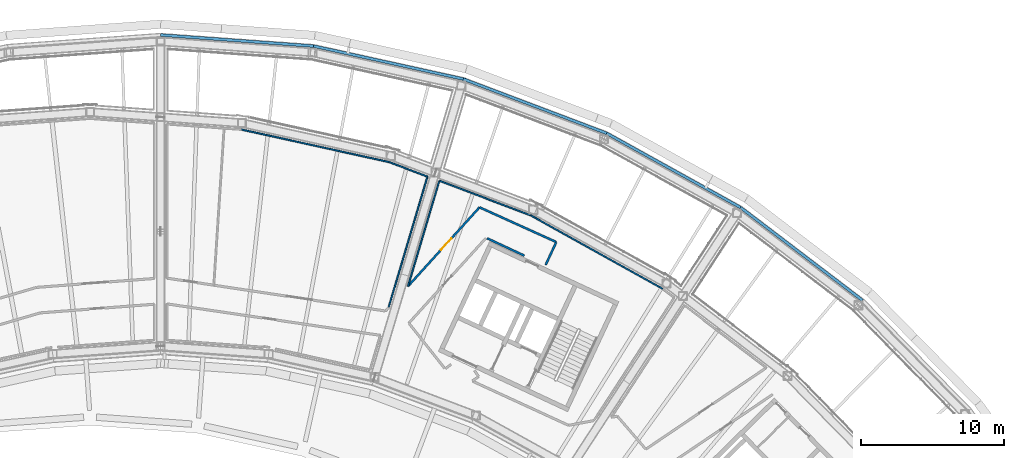
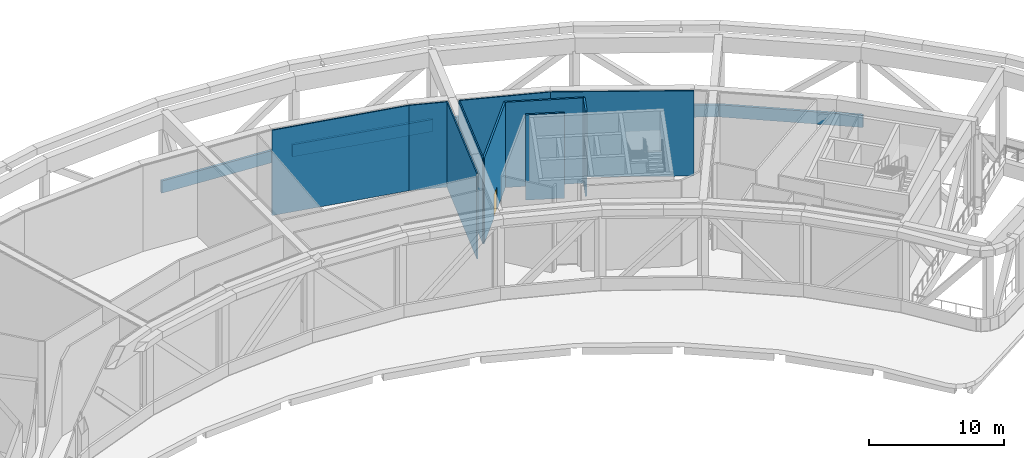
# One storey, part 12 of 27: 15 walls, 1 door, 1 opening.
"""IFC4 building model written with IfcOpenShell, lengths in metres."""

from ifc_helpers import new_model, si_unit, direction, frame, frame_2d, origin, place, context, subcontext, project, spatial, rectangle, extrude, material, layer, layer_set, type_object, element, fill, save


model = new_model("IFC4")

# Units and contexts
model_context = context("Model", 3, precision=1e-05, world=origin(), true_north=direction((0.0, 1.0)))
body_context = subcontext(model_context, "Body", "Model", "MODEL_VIEW")
ifc_project = project(units=[si_unit("LENGTHUNIT", "METRE"), si_unit("AREAUNIT", "SQUARE_METRE"), si_unit("VOLUMEUNIT", "CUBIC_METRE"), si_unit("PLANEANGLEUNIT", "RADIAN"), si_unit("MASSUNIT", "GRAM", prefix="KILO")], contexts=[model_context])

# Site, building, storey
site_placement = place(None, origin())
site = spatial("IfcSite", under=ifc_project, at=site_placement, CompositionType="ELEMENT")
building_placement = place(site_placement, origin())
building = spatial("IfcBuilding", under=site, at=building_placement, Name="Tuul Gate Civic Tower", CompositionType="ELEMENT")
storey_placement = place(building_placement, frame((0.0, 0.0, 201.5)))
storey = spatial("IfcBuildingStorey", under=building, at=storey_placement, Name="Wind floor 1", CompositionType="ELEMENT", Elevation=201.5)

# Walls
ifc_material_1 = material(Name="Gypsum board partition")
ifc_layer_1 = layer(ifc_material_1, 0.14990234375)
ifc_layer_set_1 = layer_set([ifc_layer_1], Name="Gypsum board partition")
wall_type_1 = type_object("IfcWallType", Name="Corridor wall P150", PredefinedType="PARTITIONING", material=ifc_layer_set_1)
wall_1_placement = place(storey_placement, frame((28.822509765625, 4.767578125, 0.0), z_axis=(0.0, 0.0, 1.0), x_axis=(0.906289419044, -0.422657649792, 0.0)))
element("IfcWall", 1, at=wall_1_placement, inside=storey, type_object=wall_type_1, Name="p021", PredefinedType="PARTITIONING", context=body_context, shape_type="SweptSolid", body=[
    extrude(rectangle(XDim=2.874755859375, YDim=0.14990234375, at=frame_2d((1.4375, 0.0))), origin(), (0.0, 0.0, 1.0), 7.699951171875),
])
wall_2_placement = place(storey_placement, frame((32.922119140625, 2.89990234375, 0.0), z_axis=(0.0, 0.0, 1.0), x_axis=(0.422825047147, 0.906211332695, 0.0)))
element("IfcWall", 2, at=wall_2_placement, inside=storey, type_object=wall_type_1, Name="p022", PredefinedType="PARTITIONING", context=body_context, shape_type="SweptSolid", body=[
    extrude(rectangle(XDim=1.769775390625, YDim=0.14990234375, at=frame_2d((0.884765625, 0.0))), origin(), (0.0, 0.0, 1.0), 7.699951171875),
])
wall_3_placement = place(storey_placement, frame((28.288818359375, 6.93896484375, 0.0), z_axis=(0.0, 0.0, 1.0), x_axis=(0.911058766533, -0.412276513912, 0.0)))
element("IfcWall", 3, at=wall_3_placement, inside=storey, type_object=wall_type_1, Name="p023", PredefinedType="PARTITIONING", context=body_context, shape_type="SweptSolid", body=[
    extrude(rectangle(XDim=5.906982421875, YDim=0.14990234375, at=frame_2d((2.95361328125, 0.0))), origin(), (0.0, 0.0, 1.0), 7.699951171875),
])

# Wall, opening, door
wall_4_placement = place(storey_placement, frame((23.270263671875, 1.400390625, 0.0), z_axis=(0.0, 0.0, 1.0), x_axis=(0.671462254568, 0.741038757887, 0.0)))
wall_4 = element("IfcWall", 4, at=wall_4_placement, inside=storey, type_object=wall_type_1, Name="p025", PredefinedType="PARTITIONING", context=body_context, shape_type="SweptSolid", body=[
    extrude(rectangle(XDim=7.47412109375, YDim=0.14990234375, at=frame_2d((3.737060546875, 0.0))), origin(), (0.0, 0.0, 1.0), 7.699951171875),
])
opening_placement = place(wall_4_placement, frame((3.43701171875, 0.0, 0.0)))
opening = element("IfcOpeningElement", 5, at=opening_placement, cuts=wall_4, Name="Opening AF-D06", PredefinedType="OPENING", context=body_context, shape_type="SweptSolid", body=[
    extrude(rectangle(XDim=1.10009765625, YDim=2.10009765625, at=frame_2d((0.550048828125, 1.050048828125))), frame((0.0, 0.0849609375, 0.0), z_axis=(0.0, -1.0, 0.0), x_axis=(1.0, 0.0, 0.0)), (0.0, 0.0, 1.0), 0.169921875),
])
ifc_material_2 = material(Name="Timber door leaf", Category="wood")
door_type = type_object("IfcDoorType", Name="Door D11", OperationType="NOTDEFINED", PredefinedType="DOOR", material=ifc_material_2)
door_placement = place(opening_placement, origin())
door = element("IfcDoor", 6, at=door_placement, inside=storey, type_object=door_type, Name="Door AF-D06", OperationType="SINGLE_SWING_RIGHT", OverallHeight=2.10009765625, OverallWidth=1.10009765625, PredefinedType="DOOR", context=body_context, shape_type="SweptSolid", body=[
    extrude(rectangle(XDim=1.10009765625, YDim=2.10009765625, at=frame_2d((0.550048828125, 1.050048828125))), frame((0.0, 0.02490234375, 0.0), z_axis=(0.0, -1.0, 0.0), x_axis=(1.0, 0.0, 0.0)), (0.0, 0.0, 1.0), 0.050048828125),
])
fill(opening, door)

# Walls
ifc_material_3 = material(Name="Concrete C40/50", Category="concrete")
ifc_layer_2 = layer(ifc_material_3, 0.199951171875)
ifc_layer_set_2 = layer_set([ifc_layer_2], Name="Concrete C40/50")
wall_type_2 = type_object("IfcWallType", Name="Crown parapet", PredefinedType="PARAPET", material=ifc_layer_set_2)
wall_5_placement = place(storey_placement, frame((55.135498046875, 0.413330078125, 0.0), z_axis=(0.0, 0.0, 1.0), x_axis=(-0.795650799179, 0.605755566022, 0.0)))
element("IfcWall", 7, at=wall_5_placement, inside=storey, type_object=wall_type_2, Name="Parapet", PredefinedType="PARAPET", context=body_context, shape_type="SweptSolid", body=[
    extrude(rectangle(XDim=10.74169921875, YDim=0.199951171875, at=frame_2d((5.370849609375, 0.0))), origin(), (0.0, 0.0, 1.0), 1.10009765625),
])
wall_6_placement = place(storey_placement, frame((46.5888671875, 6.920166015625, 0.0), z_axis=(0.0, 0.0, 1.0), x_axis=(-0.874611402149, 0.484824602543, 0.0)))
element("IfcWall", 8, at=wall_6_placement, inside=storey, type_object=wall_type_2, Name="Parapet", PredefinedType="PARAPET", context=body_context, shape_type="SweptSolid", body=[
    extrude(rectangle(XDim=10.7431640625, YDim=0.199951171875, at=frame_2d((5.37158203125, 0.0))), origin(), (0.0, 0.0, 1.0), 1.10009765625),
])
wall_7_placement = place(storey_placement, frame((37.235107421875, 12.112548828125, 0.0), z_axis=(0.0, 0.0, 1.0), x_axis=(-0.935331194479, 0.353773312495, 0.0)))
element("IfcWall", 9, at=wall_7_placement, inside=storey, type_object=wall_type_2, Name="Parapet", PredefinedType="PARAPET", context=body_context, shape_type="SweptSolid", body=[
    extrude(rectangle(XDim=10.78759765625, YDim=0.199951171875, at=frame_2d((5.393798828125, 0.0))), origin(), (0.0, 0.0, 1.0), 1.10009765625),
])
wall_8_placement = place(storey_placement, frame((27.304931640625, 15.8935546875, 0.0), z_axis=(0.0, 0.0, 1.0), x_axis=(-0.97657630394, 0.215171379564, 0.0)))
element("IfcWall", 10, at=wall_8_placement, inside=storey, type_object=wall_type_2, Name="Parapet", PredefinedType="PARAPET", context=body_context, shape_type="SweptSolid", body=[
    extrude(rectangle(XDim=10.906005859375, YDim=0.199951171875, at=frame_2d((5.453125, 0.0))), origin(), (0.0, 0.0, 1.0), 1.10009765625),
])
wall_9_placement = place(storey_placement, frame((16.654296875, 18.240234375, 0.0), z_axis=(0.0, 0.0, 1.0), x_axis=(-0.997385033407, 0.072270984055, 0.0)))
element("IfcWall", 11, at=wall_9_placement, inside=storey, type_object=wall_type_2, Name="Parapet", PredefinedType="PARAPET", context=body_context, shape_type="SweptSolid", body=[
    extrude(rectangle(XDim=10.742431640625, YDim=0.199951171875, at=frame_2d((5.37109375, 0.0))), origin(), (0.0, 0.0, 1.0), 1.10009765625),
])
ifc_material_4 = material(Name="Gypsum board partition")
ifc_layer_3 = layer(ifc_material_4, 0.10009765625)
ifc_layer_set_3 = layer_set([ifc_layer_3], Name="Gypsum board partition")
wall_type_3 = type_object("IfcWallType", Name="Partition P100", PredefinedType="PARTITIONING", material=ifc_layer_set_3)
wall_10_placement = place(storey_placement, frame((23.270263671875, 1.400390625, 0.0), z_axis=(0.0, 0.0, 1.0), x_axis=(0.285185455478, 0.958472355357, 0.0)))
element("IfcWall", 12, at=wall_10_placement, inside=storey, type_object=wall_type_3, Name="p058", PredefinedType="PARTITIONING", context=body_context, shape_type="SweptSolid", body=[
    extrude(rectangle(XDim=7.71923828125, YDim=0.10009765625, at=frame_2d((3.859619140625, 0.0))), origin(), (0.0, 0.0, 1.0), 7.699951171875),
])
wall_11_placement = place(storey_placement, frame((25.4716796875, 8.799072265625, 0.0), z_axis=(0.0, 0.0, 1.0), x_axis=(0.935377182115, -0.353651703204, 0.0)))
element("IfcWall", 13, at=wall_11_placement, inside=storey, type_object=wall_type_3, Name="p059", PredefinedType="PARTITIONING", context=body_context, shape_type="SweptSolid", body=[
    extrude(rectangle(XDim=6.84326171875, YDim=0.10009765625, at=frame_2d((3.421630859375, 0.0))), origin(), (0.0, 0.0, 1.0), 7.699951171875),
])
wall_12_placement = place(storey_placement, frame((31.872802734375, 6.37890625, 0.0), z_axis=(0.0, 0.0, 1.0), x_axis=(0.873658777036, -0.486539146737, 0.0)))
element("IfcWall", 14, at=wall_12_placement, inside=storey, type_object=wall_type_3, Name="p060", PredefinedType="PARTITIONING", context=body_context, shape_type="SweptSolid", body=[
    extrude(rectangle(XDim=10.61328125, YDim=0.10009765625, at=frame_2d((5.306640625, 0.0))), origin(), (0.0, 0.0, 1.0), 7.699951171875),
])
wall_13_placement = place(storey_placement, frame((11.573974609375, 12.3974609375, 0.0), z_axis=(0.0, 0.0, 1.0), x_axis=(0.976569294882, -0.215203188392, 0.0)))
element("IfcWall", 15, at=wall_13_placement, inside=storey, type_object=wall_type_3, Name="p065", PredefinedType="PARTITIONING", context=body_context, shape_type="SweptSolid", body=[
    extrude(rectangle(XDim=10.613037109375, YDim=0.10009765625, at=frame_2d((5.306640625, 0.0))), origin(), (0.0, 0.0, 1.0), 7.699951171875),
])
wall_14_placement = place(storey_placement, frame((21.938232421875, 10.113525390625, 0.0), z_axis=(0.0, 0.0, 1.0), x_axis=(0.93538826358, -0.353622392329, 0.0)))
element("IfcWall", 16, at=wall_14_placement, inside=storey, type_object=wall_type_3, Name="p066", PredefinedType="PARTITIONING", context=body_context, shape_type="SweptSolid", body=[
    extrude(rectangle(XDim=2.889404296875, YDim=0.10009765625, at=frame_2d((1.44482421875, 0.0))), origin(), (0.0, 0.0, 1.0), 7.699951171875),
])
wall_15_placement = place(storey_placement, frame((24.640869140625, 9.091796875, 0.0), z_axis=(0.0, 0.0, 1.0), x_axis=(-0.285215862992, -0.95846330733, 0.0)))
element("IfcWall", 17, at=wall_15_placement, inside=storey, type_object=wall_type_3, Name="p067", PredefinedType="PARTITIONING", context=body_context, shape_type="SweptSolid", body=[
    extrude(rectangle(XDim=9.552734375, YDim=0.10009765625, at=frame_2d((4.7763671875, 0.0))), origin(), (0.0, 0.0, 1.0), 7.699951171875),
])

save(model, "model.ifc")
